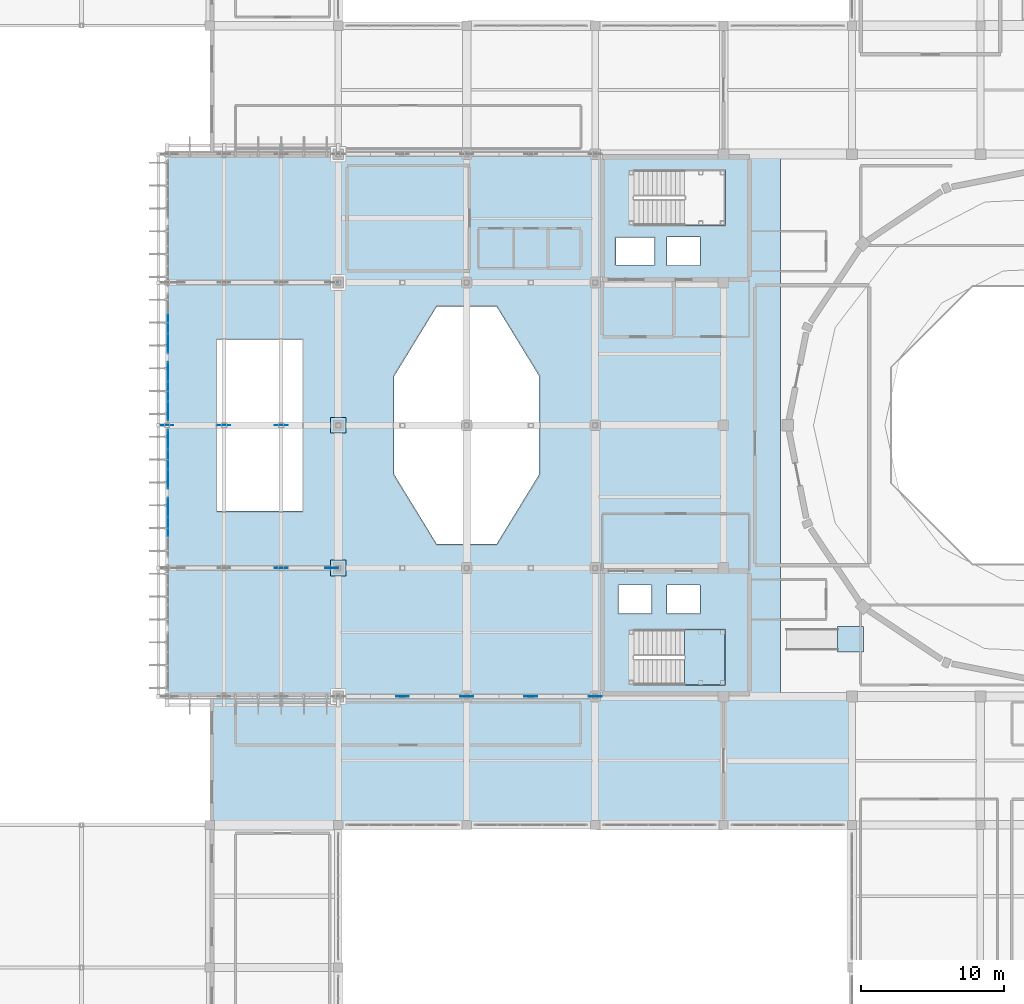
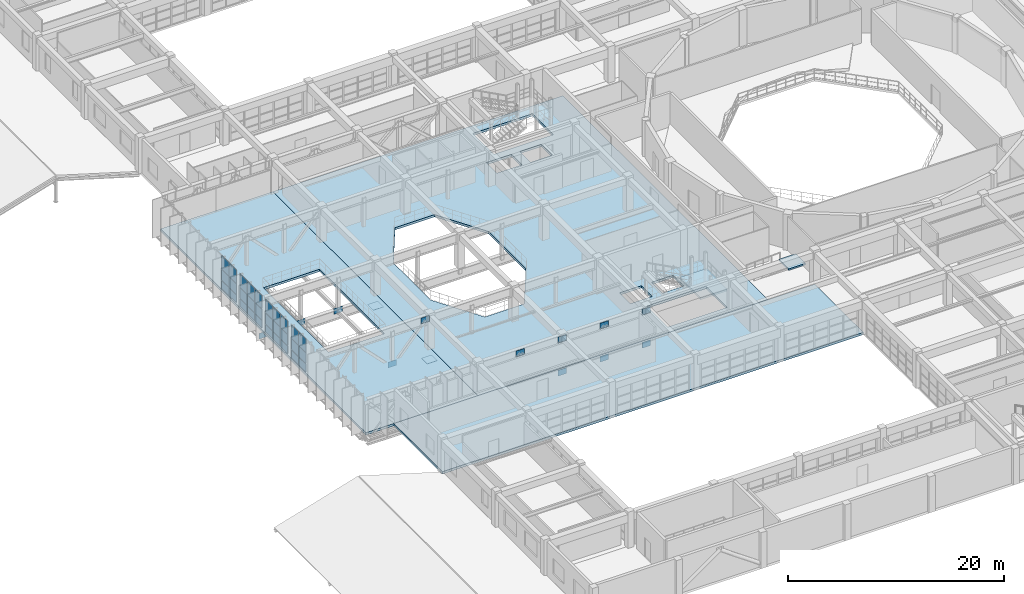
# One storey, part 92 of 130: 44 plates, 5 slabs, 6 elements without a shape of their own.
"""IFC4 building model written with IfcOpenShell, lengths in metres."""

from ifc_helpers import new_model, si_unit, direction, frame, origin, origin_2d, place, context, subcontext, project, spatial, polyline, rectangle, outline, extrude, material, layer, layer_set, type_object, element, aggregate, save


model = new_model("IFC4")

# Units and contexts
model_context = context("Model", 3, precision=1e-05, world=origin(), true_north=direction((0.0, 1.0)))
body_context = subcontext(model_context, "Body", "Model", "MODEL_VIEW")
ifc_project = project(units=[si_unit("LENGTHUNIT", "METRE"), si_unit("AREAUNIT", "SQUARE_METRE"), si_unit("VOLUMEUNIT", "CUBIC_METRE"), si_unit("PLANEANGLEUNIT", "RADIAN"), si_unit("MASSUNIT", "GRAM", prefix="KILO")], contexts=[model_context])

# Site, building, storey
site_placement = place(None, origin())
site = spatial("IfcSite", under=ifc_project, at=site_placement, CompositionType="ELEMENT")
building_placement = place(site_placement, origin())
building = spatial("IfcBuilding", under=site, at=building_placement, Name="Miravela Opera House", CompositionType="ELEMENT")
storey_placement = place(building_placement, frame((0.0, 0.0, 9.52001953125)))
storey = spatial("IfcBuildingStorey", under=building, at=storey_placement, Name="L02", CompositionType="ELEMENT", Elevation=9.52001953125)

# Curtain wall, plates
ifc_material_1 = material(Name="Anodised architectural bronze aluminium 6063-T6", Category="aluminium")
curtain_wall_type = type_object("IfcCurtainWallType", Name="ARC-CW-02", PredefinedType="NOTDEFINED", material=ifc_material_1)
curtain_wall_1_placement = place(storey_placement, origin())
curtain_wall_1 = element("IfcCurtainWall", 1, at=curtain_wall_1_placement, inside=storey, type_object=curtain_wall_type, Name="Cantilever West Wrapper Glazing B3 CW-L02-009", PredefinedType="NOTDEFINED")
ifc_material_2 = material(Name="Triple-glazed acoustic laminated low-E glass", Category="glass")
ifc_layer_1 = layer(ifc_material_2, 0.035888671875)
ifc_layer_set_1 = layer_set([ifc_layer_1])
plate_type_1 = type_object("IfcPlateType", Name="ARC-CWP-36", PredefinedType="CURTAIN_PANEL", material=ifc_layer_set_1)
plate_1_placement = place(storey_placement, frame((15.080078125, 48.875, 0.06494140625), z_axis=(0.0, 0.0, 1.0), x_axis=(0.0, 1.0, 0.0)))
plate_1 = element("IfcPlate", 2, at=plate_1_placement, type_object=plate_type_1, Name="CW-02 panel 2.1", PredefinedType="CURTAIN_PANEL", context=body_context, shape_type="SweptSolid", body=[
    extrude(rectangle(XDim=1.331787109375, YDim=0.035888671875, at=origin_2d()), origin(), (0.0, 0.0, 1.0), 0.8525390625),
])
plate_2_placement = place(storey_placement, frame((15.080078125, 48.875, 0.982421875), z_axis=(0.0, 0.0, 1.0), x_axis=(0.0, 1.0, 0.0)))
plate_2 = element("IfcPlate", 3, at=plate_2_placement, type_object=plate_type_1, Name="CW-02 panel 2.2", PredefinedType="CURTAIN_PANEL", context=body_context, shape_type="SweptSolid", body=[
    extrude(rectangle(XDim=1.331787109375, YDim=0.035888671875, at=origin_2d()), origin(), (0.0, 0.0, 1.0), 1.20068359375),
])
plate_3_placement = place(storey_placement, frame((15.080078125, 48.875, 2.248046875), z_axis=(0.0, 0.0, 1.0), x_axis=(0.0, 1.0, 0.0)))
plate_3 = element("IfcPlate", 4, at=plate_3_placement, type_object=plate_type_1, Name="CW-02 panel 2.3", PredefinedType="CURTAIN_PANEL", context=body_context, shape_type="SweptSolid", body=[
    extrude(rectangle(XDim=1.331787109375, YDim=0.035888671875, at=origin_2d()), origin(), (0.0, 0.0, 1.0), 1.5068359375),
])
plate_4_placement = place(storey_placement, frame((15.080078125, 50.25537109375, 0.06494140625), z_axis=(0.0, 0.0, 1.0), x_axis=(0.0, 1.0, 0.0)))
plate_4 = element("IfcPlate", 5, at=plate_4_placement, type_object=plate_type_1, Name="CW-02 panel 3.1", PredefinedType="CURTAIN_PANEL", context=body_context, shape_type="SweptSolid", body=[
    extrude(rectangle(XDim=1.299072265625, YDim=0.035888671875, at=origin_2d()), origin(), (0.0, 0.0, 1.0), 0.8525390625),
])
plate_5_placement = place(storey_placement, frame((15.080078125, 50.25537109375, 0.982421875), z_axis=(0.0, 0.0, 1.0), x_axis=(0.0, 1.0, 0.0)))
plate_5 = element("IfcPlate", 6, at=plate_5_placement, type_object=plate_type_1, Name="CW-02 panel 3.2", PredefinedType="CURTAIN_PANEL", context=body_context, shape_type="SweptSolid", body=[
    extrude(rectangle(XDim=1.299072265625, YDim=0.035888671875, at=origin_2d()), origin(), (0.0, 0.0, 1.0), 1.20068359375),
])
plate_6_placement = place(storey_placement, frame((15.080078125, 50.25537109375, 2.248046875), z_axis=(0.0, 0.0, 1.0), x_axis=(0.0, 1.0, 0.0)))
plate_6 = element("IfcPlate", 7, at=plate_6_placement, type_object=plate_type_1, Name="CW-02 panel 3.3", PredefinedType="CURTAIN_PANEL", context=body_context, shape_type="SweptSolid", body=[
    extrude(rectangle(XDim=1.299072265625, YDim=0.035888671875, at=origin_2d()), origin(), (0.0, 0.0, 1.0), 1.5068359375),
])
aggregate(curtain_wall_1, [plate_1, plate_2, plate_3, plate_4, plate_5, plate_6])

curtain_wall_2_placement = place(storey_placement, origin())
curtain_wall_2 = element("IfcCurtainWall", 8, at=curtain_wall_2_placement, inside=storey, type_object=curtain_wall_type, Name="Cantilever West Wrapper Glazing B4 CW-L02-010", PredefinedType="NOTDEFINED")
plate_7_placement = place(storey_placement, frame((15.080078125, 52.24462890625, 0.06494140625), z_axis=(0.0, 0.0, 1.0), x_axis=(0.0, 1.0, 0.0)))
plate_7 = element("IfcPlate", 9, at=plate_7_placement, type_object=plate_type_1, Name="CW-02 panel 1.1", PredefinedType="CURTAIN_PANEL", context=body_context, shape_type="SweptSolid", body=[
    extrude(rectangle(XDim=1.299072265625, YDim=0.035888671875, at=origin_2d()), origin(), (0.0, 0.0, 1.0), 0.8525390625),
])
plate_8_placement = place(storey_placement, frame((15.080078125, 52.24462890625, 0.982421875), z_axis=(0.0, 0.0, 1.0), x_axis=(0.0, 1.0, 0.0)))
plate_8 = element("IfcPlate", 10, at=plate_8_placement, type_object=plate_type_1, Name="CW-02 panel 1.2", PredefinedType="CURTAIN_PANEL", context=body_context, shape_type="SweptSolid", body=[
    extrude(rectangle(XDim=1.299072265625, YDim=0.035888671875, at=origin_2d()), origin(), (0.0, 0.0, 1.0), 1.20068359375),
])
plate_9_placement = place(storey_placement, frame((15.080078125, 52.24462890625, 2.248046875), z_axis=(0.0, 0.0, 1.0), x_axis=(0.0, 1.0, 0.0)))
plate_9 = element("IfcPlate", 11, at=plate_9_placement, type_object=plate_type_1, Name="CW-02 panel 1.3", PredefinedType="CURTAIN_PANEL", context=body_context, shape_type="SweptSolid", body=[
    extrude(rectangle(XDim=1.299072265625, YDim=0.035888671875, at=origin_2d()), origin(), (0.0, 0.0, 1.0), 1.5068359375),
])
plate_10_placement = place(storey_placement, frame((15.080078125, 53.625, 0.06494140625), z_axis=(0.0, 0.0, 1.0), x_axis=(0.0, 1.0, 0.0)))
plate_10 = element("IfcPlate", 12, at=plate_10_placement, type_object=plate_type_1, Name="CW-02 panel 2.1", PredefinedType="CURTAIN_PANEL", context=body_context, shape_type="SweptSolid", body=[
    extrude(rectangle(XDim=1.331787109375, YDim=0.035888671875, at=origin_2d()), origin(), (0.0, 0.0, 1.0), 0.8525390625),
])
plate_11_placement = place(storey_placement, frame((15.080078125, 53.625, 0.982421875), z_axis=(0.0, 0.0, 1.0), x_axis=(0.0, 1.0, 0.0)))
plate_11 = element("IfcPlate", 13, at=plate_11_placement, type_object=plate_type_1, Name="CW-02 panel 2.2", PredefinedType="CURTAIN_PANEL", context=body_context, shape_type="SweptSolid", body=[
    extrude(rectangle(XDim=1.331787109375, YDim=0.035888671875, at=origin_2d()), origin(), (0.0, 0.0, 1.0), 1.20068359375),
])
plate_12_placement = place(storey_placement, frame((15.080078125, 53.625, 2.248046875), z_axis=(0.0, 0.0, 1.0), x_axis=(0.0, 1.0, 0.0)))
plate_12 = element("IfcPlate", 14, at=plate_12_placement, type_object=plate_type_1, Name="CW-02 panel 2.3", PredefinedType="CURTAIN_PANEL", context=body_context, shape_type="SweptSolid", body=[
    extrude(rectangle(XDim=1.331787109375, YDim=0.035888671875, at=origin_2d()), origin(), (0.0, 0.0, 1.0), 1.5068359375),
])
plate_13_placement = place(storey_placement, frame((15.080078125, 55.00537109375, 0.06494140625), z_axis=(0.0, 0.0, 1.0), x_axis=(0.0, 1.0, 0.0)))
plate_13 = element("IfcPlate", 15, at=plate_13_placement, type_object=plate_type_1, Name="CW-02 panel 3.1", PredefinedType="CURTAIN_PANEL", context=body_context, shape_type="SweptSolid", body=[
    extrude(rectangle(XDim=1.299072265625, YDim=0.035888671875, at=origin_2d()), origin(), (0.0, 0.0, 1.0), 0.8525390625),
])
plate_14_placement = place(storey_placement, frame((15.080078125, 55.00537109375, 0.982421875), z_axis=(0.0, 0.0, 1.0), x_axis=(0.0, 1.0, 0.0)))
plate_14 = element("IfcPlate", 16, at=plate_14_placement, type_object=plate_type_1, Name="CW-02 panel 3.2", PredefinedType="CURTAIN_PANEL", context=body_context, shape_type="SweptSolid", body=[
    extrude(rectangle(XDim=1.299072265625, YDim=0.035888671875, at=origin_2d()), origin(), (0.0, 0.0, 1.0), 1.20068359375),
])
plate_15_placement = place(storey_placement, frame((15.080078125, 55.00537109375, 2.248046875), z_axis=(0.0, 0.0, 1.0), x_axis=(0.0, 1.0, 0.0)))
plate_15 = element("IfcPlate", 17, at=plate_15_placement, type_object=plate_type_1, Name="CW-02 panel 3.3", PredefinedType="CURTAIN_PANEL", context=body_context, shape_type="SweptSolid", body=[
    extrude(rectangle(XDim=1.299072265625, YDim=0.035888671875, at=origin_2d()), origin(), (0.0, 0.0, 1.0), 1.5068359375),
])
aggregate(curtain_wall_2, [plate_7, plate_8, plate_9, plate_10, plate_11, plate_12, plate_13, plate_14, plate_15])

curtain_wall_3_placement = place(storey_placement, origin())
curtain_wall_3 = element("IfcCurtainWall", 18, at=curtain_wall_3_placement, inside=storey, type_object=curtain_wall_type, Name="Cantilever West Wrapper Glazing B5 CW-L02-011", PredefinedType="NOTDEFINED")
plate_16_placement = place(storey_placement, frame((15.080078125, 56.99462890625, 0.06494140625), z_axis=(0.0, 0.0, 1.0), x_axis=(0.0, 1.0, 0.0)))
plate_16 = element("IfcPlate", 19, at=plate_16_placement, type_object=plate_type_1, Name="CW-02 panel 1.1", PredefinedType="CURTAIN_PANEL", context=body_context, shape_type="SweptSolid", body=[
    extrude(rectangle(XDim=1.299072265625, YDim=0.035888671875, at=origin_2d()), origin(), (0.0, 0.0, 1.0), 0.8525390625),
])
plate_17_placement = place(storey_placement, frame((15.080078125, 56.99462890625, 0.982421875), z_axis=(0.0, 0.0, 1.0), x_axis=(0.0, 1.0, 0.0)))
plate_17 = element("IfcPlate", 20, at=plate_17_placement, type_object=plate_type_1, Name="CW-02 panel 1.2", PredefinedType="CURTAIN_PANEL", context=body_context, shape_type="SweptSolid", body=[
    extrude(rectangle(XDim=1.299072265625, YDim=0.035888671875, at=origin_2d()), origin(), (0.0, 0.0, 1.0), 1.20068359375),
])
plate_18_placement = place(storey_placement, frame((15.080078125, 56.99462890625, 2.248046875), z_axis=(0.0, 0.0, 1.0), x_axis=(0.0, 1.0, 0.0)))
plate_18 = element("IfcPlate", 21, at=plate_18_placement, type_object=plate_type_1, Name="CW-02 panel 1.3", PredefinedType="CURTAIN_PANEL", context=body_context, shape_type="SweptSolid", body=[
    extrude(rectangle(XDim=1.299072265625, YDim=0.035888671875, at=origin_2d()), origin(), (0.0, 0.0, 1.0), 1.5068359375),
])
plate_19_placement = place(storey_placement, frame((15.080078125, 58.375, 0.06494140625), z_axis=(0.0, 0.0, 1.0), x_axis=(0.0, 1.0, 0.0)))
plate_19 = element("IfcPlate", 22, at=plate_19_placement, type_object=plate_type_1, Name="CW-02 panel 2.1", PredefinedType="CURTAIN_PANEL", context=body_context, shape_type="SweptSolid", body=[
    extrude(rectangle(XDim=1.331787109375, YDim=0.035888671875, at=origin_2d()), origin(), (0.0, 0.0, 1.0), 0.8525390625),
])
plate_20_placement = place(storey_placement, frame((15.080078125, 58.375, 0.982421875), z_axis=(0.0, 0.0, 1.0), x_axis=(0.0, 1.0, 0.0)))
plate_20 = element("IfcPlate", 23, at=plate_20_placement, type_object=plate_type_1, Name="CW-02 panel 2.2", PredefinedType="CURTAIN_PANEL", context=body_context, shape_type="SweptSolid", body=[
    extrude(rectangle(XDim=1.331787109375, YDim=0.035888671875, at=origin_2d()), origin(), (0.0, 0.0, 1.0), 1.20068359375),
])
plate_21_placement = place(storey_placement, frame((15.080078125, 58.375, 2.248046875), z_axis=(0.0, 0.0, 1.0), x_axis=(0.0, 1.0, 0.0)))
plate_21 = element("IfcPlate", 24, at=plate_21_placement, type_object=plate_type_1, Name="CW-02 panel 2.3", PredefinedType="CURTAIN_PANEL", context=body_context, shape_type="SweptSolid", body=[
    extrude(rectangle(XDim=1.331787109375, YDim=0.035888671875, at=origin_2d()), origin(), (0.0, 0.0, 1.0), 1.5068359375),
])
plate_22_placement = place(storey_placement, frame((15.080078125, 59.75537109375, 0.06494140625), z_axis=(0.0, 0.0, 1.0), x_axis=(0.0, 1.0, 0.0)))
plate_22 = element("IfcPlate", 25, at=plate_22_placement, type_object=plate_type_1, Name="CW-02 panel 3.1", PredefinedType="CURTAIN_PANEL", context=body_context, shape_type="SweptSolid", body=[
    extrude(rectangle(XDim=1.299072265625, YDim=0.035888671875, at=origin_2d()), origin(), (0.0, 0.0, 1.0), 0.8525390625),
])
plate_23_placement = place(storey_placement, frame((15.080078125, 59.75537109375, 0.982421875), z_axis=(0.0, 0.0, 1.0), x_axis=(0.0, 1.0, 0.0)))
plate_23 = element("IfcPlate", 26, at=plate_23_placement, type_object=plate_type_1, Name="CW-02 panel 3.2", PredefinedType="CURTAIN_PANEL", context=body_context, shape_type="SweptSolid", body=[
    extrude(rectangle(XDim=1.299072265625, YDim=0.035888671875, at=origin_2d()), origin(), (0.0, 0.0, 1.0), 1.20068359375),
])
plate_24_placement = place(storey_placement, frame((15.080078125, 59.75537109375, 2.248046875), z_axis=(0.0, 0.0, 1.0), x_axis=(0.0, 1.0, 0.0)))
plate_24 = element("IfcPlate", 27, at=plate_24_placement, type_object=plate_type_1, Name="CW-02 panel 3.3", PredefinedType="CURTAIN_PANEL", context=body_context, shape_type="SweptSolid", body=[
    extrude(rectangle(XDim=1.299072265625, YDim=0.035888671875, at=origin_2d()), origin(), (0.0, 0.0, 1.0), 1.5068359375),
])
aggregate(curtain_wall_3, [plate_16, plate_17, plate_18, plate_19, plate_20, plate_21, plate_22, plate_23, plate_24])

curtain_wall_4_placement = place(storey_placement, origin())
curtain_wall_4 = element("IfcCurtainWall", 28, at=curtain_wall_4_placement, inside=storey, type_object=curtain_wall_type, Name="Cantilever West Wrapper Glazing B6 CW-L02-012", PredefinedType="NOTDEFINED")
plate_25_placement = place(storey_placement, frame((15.080078125, 61.74462890625, 0.06494140625), z_axis=(0.0, 0.0, 1.0), x_axis=(0.0, 1.0, 0.0)))
plate_25 = element("IfcPlate", 29, at=plate_25_placement, type_object=plate_type_1, Name="CW-02 panel 1.1", PredefinedType="CURTAIN_PANEL", context=body_context, shape_type="SweptSolid", body=[
    extrude(rectangle(XDim=1.299072265625, YDim=0.035888671875, at=origin_2d()), origin(), (0.0, 0.0, 1.0), 0.8525390625),
])
plate_26_placement = place(storey_placement, frame((15.080078125, 61.74462890625, 0.982421875), z_axis=(0.0, 0.0, 1.0), x_axis=(0.0, 1.0, 0.0)))
plate_26 = element("IfcPlate", 30, at=plate_26_placement, type_object=plate_type_1, Name="CW-02 panel 1.2", PredefinedType="CURTAIN_PANEL", context=body_context, shape_type="SweptSolid", body=[
    extrude(rectangle(XDim=1.299072265625, YDim=0.035888671875, at=origin_2d()), origin(), (0.0, 0.0, 1.0), 1.20068359375),
])
plate_27_placement = place(storey_placement, frame((15.080078125, 61.74462890625, 2.248046875), z_axis=(0.0, 0.0, 1.0), x_axis=(0.0, 1.0, 0.0)))
plate_27 = element("IfcPlate", 31, at=plate_27_placement, type_object=plate_type_1, Name="CW-02 panel 1.3", PredefinedType="CURTAIN_PANEL", context=body_context, shape_type="SweptSolid", body=[
    extrude(rectangle(XDim=1.299072265625, YDim=0.035888671875, at=origin_2d()), origin(), (0.0, 0.0, 1.0), 1.5068359375),
])
plate_28_placement = place(storey_placement, frame((15.080078125, 63.125, 0.06494140625), z_axis=(0.0, 0.0, 1.0), x_axis=(0.0, 1.0, 0.0)))
plate_28 = element("IfcPlate", 32, at=plate_28_placement, type_object=plate_type_1, Name="CW-02 panel 2.1", PredefinedType="CURTAIN_PANEL", context=body_context, shape_type="SweptSolid", body=[
    extrude(rectangle(XDim=1.331787109375, YDim=0.035888671875, at=origin_2d()), origin(), (0.0, 0.0, 1.0), 0.8525390625),
])
plate_29_placement = place(storey_placement, frame((15.080078125, 63.125, 0.982421875), z_axis=(0.0, 0.0, 1.0), x_axis=(0.0, 1.0, 0.0)))
plate_29 = element("IfcPlate", 33, at=plate_29_placement, type_object=plate_type_1, Name="CW-02 panel 2.2", PredefinedType="CURTAIN_PANEL", context=body_context, shape_type="SweptSolid", body=[
    extrude(rectangle(XDim=1.331787109375, YDim=0.035888671875, at=origin_2d()), origin(), (0.0, 0.0, 1.0), 1.20068359375),
])
plate_30_placement = place(storey_placement, frame((15.080078125, 63.125, 2.248046875), z_axis=(0.0, 0.0, 1.0), x_axis=(0.0, 1.0, 0.0)))
plate_30 = element("IfcPlate", 34, at=plate_30_placement, type_object=plate_type_1, Name="CW-02 panel 2.3", PredefinedType="CURTAIN_PANEL", context=body_context, shape_type="SweptSolid", body=[
    extrude(rectangle(XDim=1.331787109375, YDim=0.035888671875, at=origin_2d()), origin(), (0.0, 0.0, 1.0), 1.5068359375),
])
aggregate(curtain_wall_4, [plate_25, plate_26, plate_27, plate_28, plate_29, plate_30])

# Stair, slab
ifc_material_3 = material(Name="Concrete C35/45", Category="concrete")
stair_type = type_object("IfcStairType", Name="ARC-STAIR-CORE-1680", PredefinedType="HALF_TURN_STAIR", material=ifc_material_3)
stair_placement = place(storey_placement, origin())
stair = element("IfcStair", 35, at=stair_placement, inside=storey, type_object=stair_type, Name="L02 Core K2 South Foyer Core Exit Stair ST-02", PredefinedType="HALF_TURN_STAIR")
ifc_layer_2 = layer(ifc_material_3, 0.199951171875)
ifc_layer_set_2 = layer_set([ifc_layer_2])
slab_type_1 = type_object("IfcSlabType", Name="ARC-LANDING-200", PredefinedType="LANDING", material=ifc_layer_set_2)
slab_1_placement = place(storey_placement, frame((0.0, 0.0, 1.840087890625)))
slab_1 = element("IfcSlab", 36, at=slab_1_placement, type_object=slab_type_1, Name="ST-02 landing 1", PredefinedType="LANDING", context=body_context, shape_type="SweptSolid", body=[
    extrude(outline(polyline([(51.260009765625, 37.800048828125), (54.10009765625, 37.800048828125), (54.10009765625, 41.679931640625), (51.260009765625, 41.679931640625), (51.260009765625, 37.800048828125)])), origin(), (0.0, 0.0, 1.0), 0.199951171875),
])
aggregate(stair, [slab_1])

# Ramp, slab
ramp_type = type_object("IfcRampType", Name="ARC-RAMP-ACC-1800", PredefinedType="STRAIGHT_RUN_RAMP", material=ifc_material_3)
ramp_placement = place(storey_placement, origin())
ramp = element("IfcRamp", 37, at=ramp_placement, inside=storey, type_object=ramp_type, Name="Dress Circle Wheelchair Position Ramp", PredefinedType="STRAIGHT_RUN_RAMP")
ifc_layer_3 = layer(ifc_material_3, 0.25)
ifc_layer_set_3 = layer_set([ifc_layer_3])
slab_type_2 = type_object("IfcSlabType", Name="ARC-RLANDING-250", PredefinedType="LANDING", material=ifc_layer_set_3)
slab_2_placement = place(storey_placement, origin())
slab_2 = element("IfcSlab", 38, at=slab_2_placement, type_object=slab_type_2, Name="Dress Circle Wheelchair Position Ramp landing 1", PredefinedType="LANDING", context=body_context, shape_type="SweptSolid", body=[
    extrude(outline(polyline([(62.0, 40.10009765625), (63.800048828125, 40.10009765625), (63.800048828125, 41.89990234375), (62.0, 41.89990234375), (62.0, 40.10009765625)])), origin(), (0.0, 0.0, 1.0), 0.179931640625),
])
aggregate(ramp, [slab_2])

# Plates
ifc_material_4 = material(Name="Structural steel ASTM A572 Gr. 50", Category="steel")
ifc_layer_4 = layer(ifc_material_4, 0.035888671875)
ifc_layer_set_4 = layer_set([ifc_layer_4])
plate_type_2 = type_object("IfcPlateType", Name="STR-PL-BASE-1100X1100X36", PredefinedType="USERDEFINED", material=ifc_layer_set_4)
for number, where, z_axis, x_axis, name in (
    (39, (27.0, 46.0, -1.40185546875), (0.0, 0.0, 1.0), (1.0, 0.0, 0.0), "Cantilever Truss Fulcrum Bearing Plate 02"),
    (40, (27.0, 56.0, -1.40185546875), (0.0, 0.0, 1.0), (1.0, 0.0, 0.0), "Cantilever Truss Fulcrum Bearing Plate 03"),
):
    element("IfcPlate", number, at=place(storey_placement, frame(where, z_axis=z_axis, x_axis=x_axis)), inside=storey, type_object=plate_type_2, Name=name, ObjectType="BASE PLATE", PredefinedType="USERDEFINED", context=body_context, shape_type="SweptSolid", body=[
        extrude(rectangle(XDim=1.10009765625, YDim=1.10009765625, at=origin_2d()), origin(), (0.0, 0.0, 1.0), 0.035888671875),
    ])
ifc_layer_5 = layer(ifc_material_4, 0.02392578125)
ifc_layer_set_5 = layer_set([ifc_layer_5])
plate_type_3 = type_object("IfcPlateType", Name="STR-PL-GUS-900X650X24", PredefinedType="USERDEFINED", material=ifc_layer_set_5)
for number, where, z_axis, x_axis, name in (
    (41, (36.0, 37.0, -0.7880859375), (0.0, 0.0, 1.0), (1.0, 0.0, 0.0), "Truss Node Gusset Plate 010"),
    (42, (40.5, 37.0, -0.7880859375), (0.0, 0.0, 1.0), (1.0, 0.0, 0.0), "Truss Node Gusset Plate 011"),
    (43, (45.0, 37.0, -0.7880859375), (0.0, 0.0, 1.0), (1.0, 0.0, 0.0), "Truss Node Gusset Plate 012"),
    (44, (23.0, 46.0, -0.7880859375), (0.0, 0.0, 1.0), (1.0, 0.0, 0.0), "Truss Node Gusset Plate 018"),
    (45, (15.0, 56.0, -0.7880859375), (0.0, 0.0, 1.0), (1.0, 0.0, 0.0), "Truss Node Gusset Plate 020"),
    (46, (19.0, 56.0, -0.7880859375), (0.0, 0.0, 1.0), (1.0, 0.0, 0.0), "Truss Node Gusset Plate 023"),
    (47, (23.0, 56.0, -0.7880859375), (0.0, 0.0, 1.0), (1.0, 0.0, 0.0), "Truss Node Gusset Plate 025"),
    (48, (31.5, 37.0, 2.9619140625), (0.0, 0.0, 1.0), (1.0, 0.0, 0.0), "Brace Node Gusset Plate 379"),
    (49, (36.0, 37.0, 2.9619140625), (0.0, 0.0, 1.0), (1.0, 0.0, 0.0), "Brace Node Gusset Plate 380"),
    (50, (40.5, 37.0, 2.9619140625), (0.0, 0.0, 1.0), (1.0, 0.0, 0.0), "Brace Node Gusset Plate 381"),
    (51, (45.0, 37.0, 2.9619140625), (0.0, 0.0, 1.0), (1.0, 0.0, 0.0), "Brace Node Gusset Plate 382"),
    (52, (26.550048828125, 46.0, 2.9619140625), (0.0, 0.0, 1.0), (1.0, 0.0, 0.0), "Brace Node Gusset Plate 385"),
):
    element("IfcPlate", number, at=place(storey_placement, frame(where, z_axis=z_axis, x_axis=x_axis)), inside=storey, type_object=plate_type_3, Name=name, ObjectType="GUSSET PLATE", PredefinedType="USERDEFINED", context=body_context, shape_type="SweptSolid", body=[
        extrude(rectangle(XDim=0.89990234375, YDim=0.02392578125, at=origin_2d()), origin(), (0.0, 0.0, 1.0), 0.64990234375),
    ])

# Slabs
ifc_material_5 = material(Name="Concrete C40/50", Category="concrete")
ifc_layer_6 = layer(ifc_material_5, 0.260009765625)
ifc_layer_set_6 = layer_set([ifc_layer_6])
slab_type_3 = type_object("IfcSlabType", Name="STR-SLAB-XFER-260", PredefinedType="FLOOR", material=ifc_layer_set_6)
slab_3_placement = place(storey_placement, frame((0.0, 0.0, -0.260009765625)))
element("IfcSlab", 53, at=slab_3_placement, inside=storey, type_object=slab_type_3, Name="Level L02 Floor Slab SLAB-L02-V1CANT", PredefinedType="FLOOR", context=body_context, shape_type="SweptSolid", body=[
    extrude(outline(polyline([(15.0, 37.0), (27.0, 37.0), (27.0, 75.0), (15.0, 75.0), (15.0, 37.0)]), holes=[polyline([(18.5, 50.0), (24.5, 50.0), (24.5, 62.0), (18.5, 62.0), (18.5, 50.0)])]), origin(), (0.0, 0.0, 1.0), 0.260009765625),
])
slab_4_placement = place(storey_placement, frame((0.0, 0.0, -0.260009765625)))
element("IfcSlab", 54, at=slab_4_placement, inside=storey, type_object=slab_type_3, Name="Level L02 Floor Slab SLAB-L02-V1W", PredefinedType="FLOOR", context=body_context, shape_type="SweptSolid", body=[
    extrude(outline(polyline([(27.0, 37.0), (58.0, 37.0), (58.0, 75.0), (27.0, 75.0), (27.0, 37.0)]), holes=[polyline([(47.739990234375, 70.0), (54.10009765625, 70.0), (54.10009765625, 73.8798828125), (47.739990234375, 73.8798828125), (47.739990234375, 70.0)]), polyline([(47.739990234375, 37.800048828125), (54.10009765625, 37.800048828125), (54.10009765625, 41.679931640625), (47.739990234375, 41.679931640625), (47.739990234375, 37.800048828125)]), polyline([(46.449951171875, 67.22509765625), (49.14990234375, 67.22509765625), (49.14990234375, 69.175048828125), (46.449951171875, 69.175048828125), (46.449951171875, 67.22509765625)]), polyline([(50.050048828125, 67.199951171875), (52.35009765625, 67.199951171875), (52.35009765625, 69.199951171875), (50.050048828125, 69.199951171875), (50.050048828125, 67.199951171875)]), polyline([(46.64990234375, 42.800048828125), (48.949951171875, 42.800048828125), (48.949951171875, 44.800048828125), (46.64990234375, 44.800048828125), (46.64990234375, 42.800048828125)]), polyline([(50.050048828125, 42.800048828125), (52.35009765625, 42.800048828125), (52.35009765625, 44.800048828125), (50.050048828125, 44.800048828125), (50.050048828125, 42.800048828125)]), polyline([(41.081298828125, 59.444091796875), (38.104736328125, 64.31494140625), (33.895263671875, 64.31494140625), (30.918701171875, 59.444091796875), (30.918701171875, 52.555908203125), (33.895263671875, 47.68505859375), (38.104736328125, 47.68505859375), (41.081298828125, 52.555908203125), (41.081298828125, 59.444091796875)])]), origin(), (0.0, 0.0, 1.0), 0.260009765625),
])
slab_5_placement = place(storey_placement, frame((0.0, 0.0, -0.260009765625)))
element("IfcSlab", 55, at=slab_5_placement, inside=storey, type_object=slab_type_3, Name="Level L02 Floor Slab SLAB-L02-V4W", PredefinedType="FLOOR", context=body_context, shape_type="SweptSolid", body=[
    extrude(outline(polyline([(18.0, 28.0), (63.0, 28.0), (63.0, 37.0), (18.0, 37.0), (18.0, 28.0)])), origin(), (0.0, 0.0, 1.0), 0.260009765625),
])

save(model, "model.ifc")
